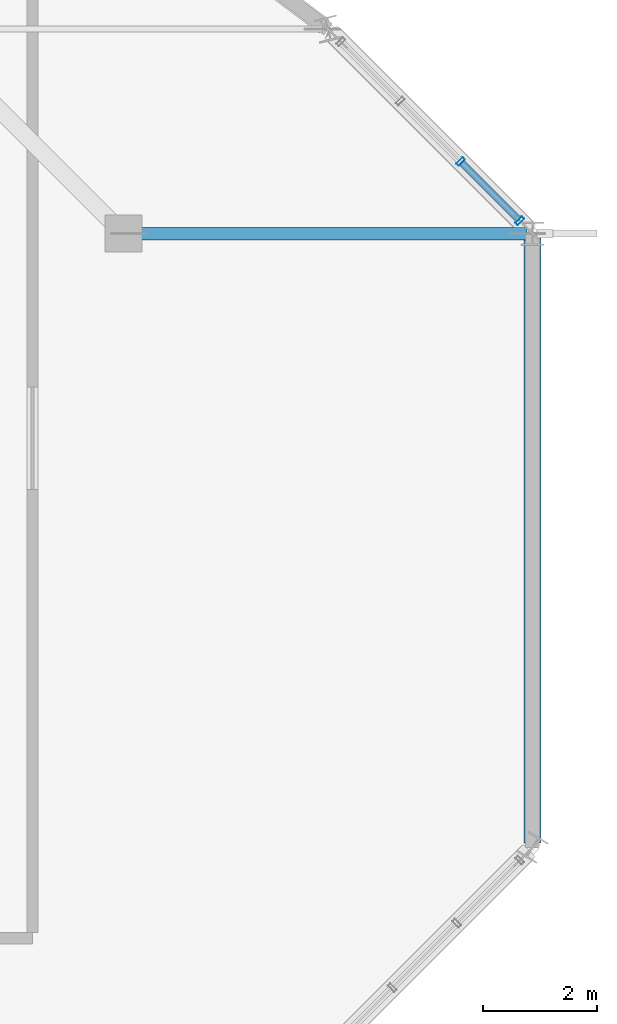
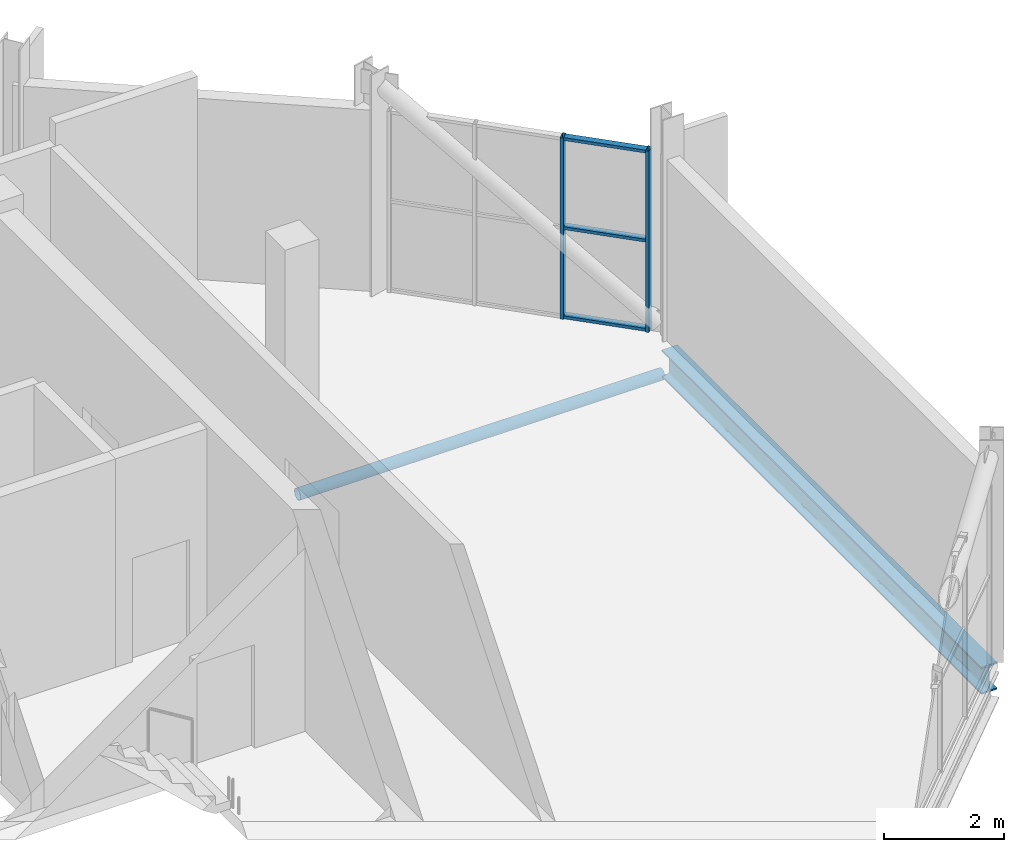
# One storey, part 12 of 22: 6 members, 1 beam, 1 element without a shape of its own.
"""IFC4 building model written with IfcOpenShell, lengths in metres."""

import ifcopenshell
import ifcopenshell.guid

model = None  # the IFC model being written
_history = None  # IfcOwnerHistory: only IFC2X3 demands one
_inside = {}  # id of a spatial element -> (the spatial element, [elements in it])
_under = {}  # id of a project, library or spatial element -> (it, [spatial elements below it])
_declared = {}  # id of a project -> (the project, [libraries it declares])
_typed = {}  # id of a type object -> (the type object, [elements of that type])
_made_of = {}  # id of a material, layer set ... -> (it, [elements and type objects made of it])


def new_model(schema):
    """Start an empty IFC model of exactly this schema.

    Asked for "IFC4X3", IfcOpenShell would pick the latest addendum, in which some entities
    have other attributes; the version numbers below select the first issue.
    IFC2X3 requires an IfcOwnerHistory on every rooted entity: one is made here for all.
    """
    global model, _history
    if schema == "IFC4X3":
        model = ifcopenshell.file(schema_version=(4, 3, 0, 0))
    else:
        model = ifcopenshell.file(schema=schema)
    _inside.clear()
    _under.clear()
    _declared.clear()
    _typed.clear()
    _made_of.clear()
    _history = None
    if model.schema == "IFC2X3":
        org = make("IfcOrganization", Name="unknown")
        user = make(
            "IfcPersonAndOrganization",
            ThePerson=make("IfcPerson", FamilyName="unknown"),
            TheOrganization=org,
        )
        app = make(
            "IfcApplication",
            ApplicationDeveloper=org,
            Version="unknown",
            ApplicationFullName="unknown",
            ApplicationIdentifier="unknown",
        )
        _history = make(
            "IfcOwnerHistory",
            OwningUser=user,
            OwningApplication=app,
            ChangeAction="ADDED",
            CreationDate=0,
        )
    return model


def make(cls, **values):
    """One entity of the class cls with the attributes given. An attribute that is None is left unset."""
    return model.create_entity(
        cls, **{name: value for name, value in values.items() if value is not None}
    )


def rooted(cls, **values):
    """An entity with a GlobalId (a new one), such as an element, a storey or a relation."""
    return make(cls, GlobalId=ifcopenshell.guid.new(), OwnerHistory=_history, **values)


def si_unit(unit_type, name, prefix=None):
    """IfcSIUnit, for example si_unit("LENGTHUNIT", "METRE", prefix="MILLI")."""
    return make("IfcSIUnit", UnitType=unit_type, Prefix=prefix, Name=name)


def assignment(units):
    """IfcUnitAssignment: the units of a project."""
    return None if units is None else make("IfcUnitAssignment", Units=units)


def point(xyz):
    """IfcCartesianPoint."""
    return None if xyz is None else make("IfcCartesianPoint", Coordinates=xyz)


def direction(xyz):
    """IfcDirection."""
    return None if xyz is None else make("IfcDirection", DirectionRatios=xyz)


def frame(location, z_axis=None, x_axis=None):
    """IfcAxis2Placement3D, a coordinate frame: its origin and axes. An axis left out is left unset."""
    return make(
        "IfcAxis2Placement3D",
        Location=point(location),
        Axis=direction(z_axis),
        RefDirection=direction(x_axis),
    )


def frame_2d(location, x_axis=None):
    """IfcAxis2Placement2D, a coordinate frame in the plane: its origin and x axis."""
    return make(
        "IfcAxis2Placement2D", Location=point(location), RefDirection=direction(x_axis)
    )


def origin():
    """The frame at (0, 0, 0) with its axes left unset."""
    return frame((0.0, 0.0, 0.0))


def origin_2d():
    """The frame at (0, 0) in the plane with its x axis left unset."""
    return frame_2d((0.0, 0.0))


def place(relative_to, where):
    """IfcLocalPlacement: puts the frame where relative to a parent placement (None: the world)."""
    return make(
        "IfcLocalPlacement", PlacementRelTo=relative_to, RelativePlacement=where
    )


def context(
    kind, dimensions, precision=None, world=None, true_north=None, identifier=None
):
    """IfcGeometricRepresentationContext, for example the 3D "Model" context."""
    return make(
        "IfcGeometricRepresentationContext",
        ContextIdentifier=identifier,
        ContextType=kind,
        CoordinateSpaceDimension=dimensions,
        Precision=precision,
        WorldCoordinateSystem=world,
        TrueNorth=true_north,
    )


def subcontext(parent, identifier, kind, view, scale=None):
    """IfcGeometricRepresentationSubContext, for example "Body" below "Model"."""
    return make(
        "IfcGeometricRepresentationSubContext",
        ContextIdentifier=identifier,
        ContextType=kind,
        ParentContext=parent,
        TargetScale=scale,
        TargetView=view,
    )


def project(units=None, contexts=None):
    """IfcProject with its units and contexts."""
    return rooted(
        "IfcProject",
        Name="project",
        RepresentationContexts=contexts,
        UnitsInContext=assignment(units),
    )


def spatial(cls, under=None, at=None, **own):
    """A site, building, storey or space (cls), placed at a placement, below another one or the project."""
    s = rooted(cls, ObjectPlacement=at, **own)
    if under is not None:
        _under.setdefault(under.id(), (under, []))[1].append(s)
    return s


def profile(cls, at=None, kind="AREA", **sizes):
    """A parametric profile (cls). Its sizes go by their IFC names, for example OverallWidth=200.0."""
    return make(cls, ProfileType=kind, Position=at, **sizes)


def hollow_rectangle(**sizes):
    """IfcRectangleHollowProfileDef."""
    return profile("IfcRectangleHollowProfileDef", **sizes)


def hollow_circle(**sizes):
    """IfcCircleHollowProfileDef."""
    return profile("IfcCircleHollowProfileDef", **sizes)


def i_section(**sizes):
    """IfcIShapeProfileDef."""
    return profile("IfcIShapeProfileDef", **sizes)


def extrude(swept, where, along, depth):
    """IfcExtrudedAreaSolid: the profile swept, set in the frame where, extruded along a direction by depth."""
    return make(
        "IfcExtrudedAreaSolid",
        SweptArea=swept,
        Position=where,
        ExtrudedDirection=direction(along),
        Depth=depth,
    )


def shape(context_of_items, identifier, shape_type, items):
    """IfcShapeRepresentation: the items that make up one representation, for example the "Body"."""
    return make(
        "IfcShapeRepresentation",
        ContextOfItems=context_of_items,
        RepresentationIdentifier=identifier,
        RepresentationType=shape_type,
        Items=items,
    )


def material(Name=None, Category=None):
    """IfcMaterial."""
    return make("IfcMaterial", Name=Name, Category=Category)


def layer(
    of_material, thickness, ventilated=None, Name=None, Category=None, Priority=None
):
    """IfcMaterialLayer: one layer of a wall or slab, of a material (None: an air gap)."""
    return make(
        "IfcMaterialLayer",
        Material=of_material,
        LayerThickness=thickness,
        IsVentilated=ventilated,
        Name=Name,
        Category=Category,
        Priority=Priority,
    )


def layer_set(layers, Name=None):
    """IfcMaterialLayerSet."""
    return make("IfcMaterialLayerSet", MaterialLayers=layers, LayerSetName=Name)


def material_profile(
    of_material, cross_section, Name=None, Category=None, Priority=None
):
    """IfcMaterialProfile: a cross section and its material."""
    return make(
        "IfcMaterialProfile",
        Name=Name,
        Material=of_material,
        Profile=cross_section,
        Priority=Priority,
        Category=Category,
    )


def profile_set(profiles, Name=None, composite=None):
    """IfcMaterialProfileSet."""
    return make(
        "IfcMaterialProfileSet",
        Name=Name,
        MaterialProfiles=profiles,
        CompositeProfile=composite,
    )


def made_of(thing, what):
    """Note that an element or type object is made of a material, layer set ...; save() writes the relation."""
    if what is not None:
        _made_of.setdefault(what.id(), (what, []))[1].append(thing)
    return thing


def type_object(cls, material=None, **own):
    """A type object (cls), such as IfcWallType, which elements share."""
    return made_of(rooted(cls, **own), material)


def element(
    cls,
    number,
    at=None,
    inside=None,
    cuts=None,
    type_object=None,
    material=None,
    context=None,
    identifier="Body",
    shape_type=None,
    held_by="IfcProductDefinitionShape",
    body=None,
    shapes=None,
    **own,
):
    """One element of the class cls, such as IfcWall. Its Tag is "e" and its number.

    at: its placement. inside: the storey or other place that contains it. cuts: it is an
    opening in that element (IfcRelVoidsElement). A single representation is given by context,
    identifier, shape_type and body (its items); several are given by shapes. held_by: the class
    of the entity that holds the representations. save() writes the other relations.
    """
    e = rooted(cls, Tag="e%d" % number, ObjectPlacement=at, **own)
    if body is not None:
        shapes = [shape(context, identifier, shape_type, body)]
    if shapes is not None:
        e.Representation = make(held_by, Representations=shapes)
    if inside is not None:
        _inside.setdefault(inside.id(), (inside, []))[1].append(e)
    if cuts is not None:
        rooted(
            "IfcRelVoidsElement", RelatingBuildingElement=cuts, RelatedOpeningElement=e
        )
    if type_object is not None:
        _typed.setdefault(type_object.id(), (type_object, []))[1].append(e)
    return made_of(e, material)


def aggregate(whole, parts):
    """IfcRelAggregates: a whole, such as a stair, and the parts it consists of."""
    return rooted("IfcRelAggregates", RelatingObject=whole, RelatedObjects=parts)


def save(model, path):
    """Write the relations noted so far, then the file.

    IfcRelAggregates (storeys below a building ...), IfcRelContainedInSpatialStructure (elements
    in a storey), IfcRelDefinesByType, IfcRelAssociatesMaterial and IfcRelDeclares: one each for
    every whole, place, type object, material and project.
    """
    for whole, parts in _under.values():
        aggregate(whole, parts)
    for where, things in _inside.values():
        rooted(
            "IfcRelContainedInSpatialStructure",
            RelatedElements=things,
            RelatingStructure=where,
        )
    for kind, things in _typed.values():
        rooted("IfcRelDefinesByType", RelatedObjects=things, RelatingType=kind)
    for what, things in _made_of.values():
        rooted("IfcRelAssociatesMaterial", RelatedObjects=things, RelatingMaterial=what)
    for by, libraries in _declared.values():
        rooted("IfcRelDeclares", RelatingContext=by, RelatedDefinitions=libraries)
    model.write(path)


model = new_model("IFC4")

# Units and contexts
model_context = context("Model", 3, precision=1e-05, world=origin(), true_north=direction((0.0, 1.0)))
body_context = subcontext(model_context, "Body", "Model", "MODEL_VIEW")
ifc_project = project(units=[si_unit("LENGTHUNIT", "METRE"), si_unit("AREAUNIT", "SQUARE_METRE"), si_unit("VOLUMEUNIT", "CUBIC_METRE"), si_unit("PLANEANGLEUNIT", "RADIAN"), si_unit("MASSUNIT", "GRAM", prefix="KILO")], contexts=[model_context])

# Site, building, storey
site_placement = place(None, origin())
site = spatial("IfcSite", under=ifc_project, at=site_placement, CompositionType="ELEMENT")
building_placement = place(site_placement, origin())
building = spatial("IfcBuilding", under=site, at=building_placement, Name="Solnavia Interchange Tower", CompositionType="ELEMENT")
storey_placement = place(building_placement, frame((0.0, 0.0, 308.699951171875)))
storey = spatial("IfcBuildingStorey", under=building, at=storey_placement, Name="C02", CompositionType="ELEMENT", Elevation=308.699951171875)

# Curtain wall, members
ifc_material_1 = material(Name="Aluminium Alloy 6063-T6", Category="aluminium")
ifc_layer = layer(ifc_material_1, 0.179931640625)
ifc_layer_set = layer_set([ifc_layer], Name="Aluminium Alloy 6063-T6")
curtain_wall_type = type_object("IfcCurtainWallType", Name="CurtainWall-Crown-CTW6", PredefinedType="NOTDEFINED", material=ifc_layer_set)
curtain_wall_placement = place(storey_placement, origin())
curtain_wall = element("IfcCurtainWall", 1, at=curtain_wall_placement, inside=storey, type_object=curtain_wall_type, Name="CTW-C02-R01 CTW-6 curtain wall", PredefinedType="NOTDEFINED")
ifc_material_profile_1 = material_profile(ifc_material_1, hollow_rectangle(XDim=0.06005859375, YDim=0.159912109375, WallThickness=0.00390625, at=origin_2d()), Name="ALU 160x60x4")
ifc_profile_set_1 = profile_set([ifc_material_profile_1], Name="Aluminium Alloy 6063-T6")
member_type_1 = type_object("IfcMemberType", Name="CW-Mullion-CWM-6", PredefinedType="MULLION", material=ifc_profile_set_1)
member_1_placement = place(storey_placement, frame((42.974853515625, 21.8251953125, 0.0), z_axis=(0.0, 0.0, 1.0), x_axis=(-0.707106781187, 0.707106781187, 0.0)))
member_1 = element("IfcMember", 2, at=member_1_placement, type_object=member_type_1, Name="CTW-6 mullion 1", PredefinedType="MULLION", context=body_context, shape_type="SweptSolid", body=[
    extrude(hollow_rectangle(XDim=0.06005859375, YDim=0.159912109375, WallThickness=0.00390625, at=origin_2d()), origin(), (0.0, 0.0, 1.0), 3.679931640625),
])
member_2_placement = place(storey_placement, frame((41.931884765625, 22.867919921875, 0.0), z_axis=(0.0, 0.0, 1.0), x_axis=(-0.707106781187, 0.707106781187, 0.0)))
member_2 = element("IfcMember", 3, at=member_2_placement, type_object=member_type_1, Name="CTW-6 mullion 2", PredefinedType="MULLION", context=body_context, shape_type="SweptSolid", body=[
    extrude(hollow_rectangle(XDim=0.06005859375, YDim=0.159912109375, WallThickness=0.00390625, at=origin_2d()), origin(), (0.0, 0.0, 1.0), 3.679931640625),
])
ifc_material_profile_2 = material_profile(ifc_material_1, hollow_rectangle(XDim=0.06005859375, YDim=0.1201171875, WallThickness=0.00390625, at=origin_2d()), Name="ALU 120x60x4")
ifc_profile_set_2 = profile_set([ifc_material_profile_2], Name="Aluminium Alloy 6063-T6")
member_type_2 = type_object("IfcMemberType", Name="CW-Transom-CWT-6", PredefinedType="USERDEFINED", material=ifc_profile_set_2)
member_3_placement = place(storey_placement, frame((42.95361328125, 21.846435546875, 0.030029296875), z_axis=(-0.707193061069, 0.707020490776, 0.0), x_axis=(0.0, 0.0, 1.0)))
member_3 = element("IfcMember", 4, at=member_3_placement, type_object=member_type_2, Name="CTW-6 transom 1.1", ObjectType="TRANSOM", PredefinedType="USERDEFINED", context=body_context, shape_type="SweptSolid", body=[
    extrude(hollow_rectangle(XDim=0.06005859375, YDim=0.1201171875, WallThickness=0.00390625, at=origin_2d()), origin(), (0.0, 0.0, 1.0), 1.414794921875),
])
member_4_placement = place(storey_placement, frame((42.95361328125, 21.846435546875, 1.840087890625), z_axis=(-0.707193061069, 0.707020490776, 0.0), x_axis=(0.0, 0.0, 1.0)))
member_4 = element("IfcMember", 5, at=member_4_placement, type_object=member_type_2, Name="CTW-6 transom 1.2", ObjectType="TRANSOM", PredefinedType="USERDEFINED", context=body_context, shape_type="SweptSolid", body=[
    extrude(hollow_rectangle(XDim=0.06005859375, YDim=0.1201171875, WallThickness=0.00390625, at=origin_2d()), origin(), (0.0, 0.0, 1.0), 1.414794921875),
])
member_5_placement = place(storey_placement, frame((42.95361328125, 21.846435546875, 3.650146484375), z_axis=(-0.707193061069, 0.707020490776, 0.0), x_axis=(0.0, 0.0, 1.0)))
member_5 = element("IfcMember", 6, at=member_5_placement, type_object=member_type_2, Name="CTW-6 transom 1.3", ObjectType="TRANSOM", PredefinedType="USERDEFINED", context=body_context, shape_type="SweptSolid", body=[
    extrude(hollow_rectangle(XDim=0.06005859375, YDim=0.1201171875, WallThickness=0.00390625, at=origin_2d()), origin(), (0.0, 0.0, 1.0), 1.414794921875),
])
aggregate(curtain_wall, [member_1, member_2, member_3, member_4, member_5])

# Member
ifc_material_2 = material(Name="Steel S355", Category="steel")
ifc_material_profile_3 = material_profile(ifc_material_2, hollow_circle(Radius=0.109619140625, WallThickness=0.010009765625, at=origin_2d()), Name="CHS 219.1x10")
ifc_profile_set_3 = profile_set([ifc_material_profile_3], Name="Steel S355")
member_type_3 = type_object("IfcMemberType", Name="CrownFrame-Collar-CHS219", PredefinedType="COLLAR", material=ifc_profile_set_3)
member_6_placement = place(storey_placement, frame((36.10009765625, 21.60009765625, -0.800048828125), z_axis=(1.0, 0.0, 0.0), x_axis=(0.0, 1.0, 0.0)))
element("IfcMember", 7, at=member_6_placement, inside=storey, type_object=member_type_3, Name="OTR-C02-CL01 CROWN FRAME radial collar member", PredefinedType="COLLAR", context=body_context, shape_type="SweptSolid", body=[
    extrude(hollow_circle(Radius=0.109619140625, WallThickness=0.010009765625, at=origin_2d()), origin(), (0.0, 0.0, 1.0), 7.0),
])

# Beam
ifc_material_3 = material(Name="Steel S460", Category="steel")
ifc_material_profile_4 = material_profile(ifc_material_3, i_section(OverallWidth=0.300048828125, OverallDepth=0.550048828125, WebThickness=0.014892578125, FlangeThickness=0.029052734375, FilletRadius=0.027099609375, at=origin_2d()), Name="HEB 550")
ifc_profile_set_4 = profile_set([ifc_material_profile_4], Name="Steel S460")
beam_type = type_object("IfcBeamType", Name="CrownFrame-Ring-HEB550", PredefinedType="BEAM", material=ifc_profile_set_4)
beam_placement = place(storey_placement, frame((43.199951171875, 10.8798828125, -0.52490234375), z_axis=(0.0, 1.0, 0.0), x_axis=(-1.0, 0.0, 0.0)))
element("IfcBeam", 8, at=beam_placement, inside=storey, type_object=beam_type, Name="GRD-C02-CR16 CROWN FRAME outer collar ring beam", PredefinedType="BEAM", context=body_context, shape_type="SweptSolid", body=[
    extrude(i_section(OverallWidth=0.300048828125, OverallDepth=0.550048828125, WebThickness=0.014892578125, FlangeThickness=0.029052734375, FilletRadius=0.027099609375, at=origin_2d()), origin(), (0.0, 0.0, 1.0), 10.64013671875),
])

save(model, "model.ifc")
